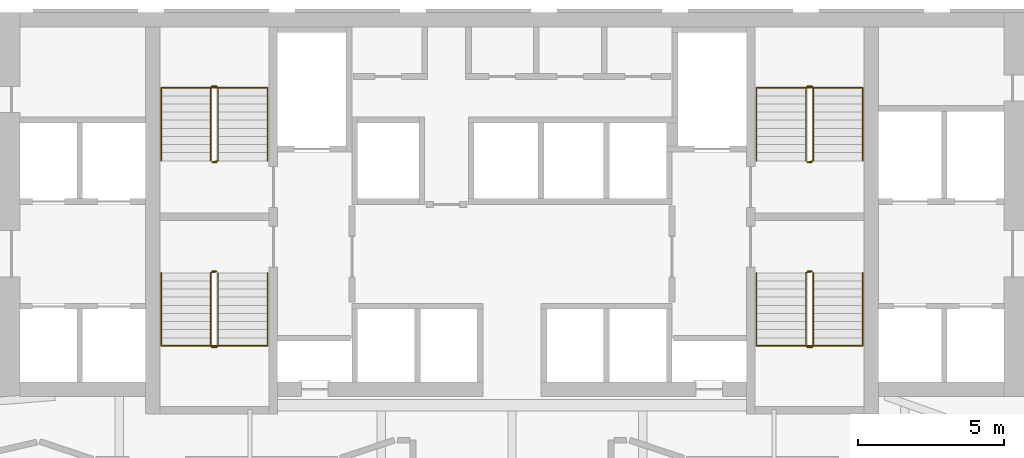
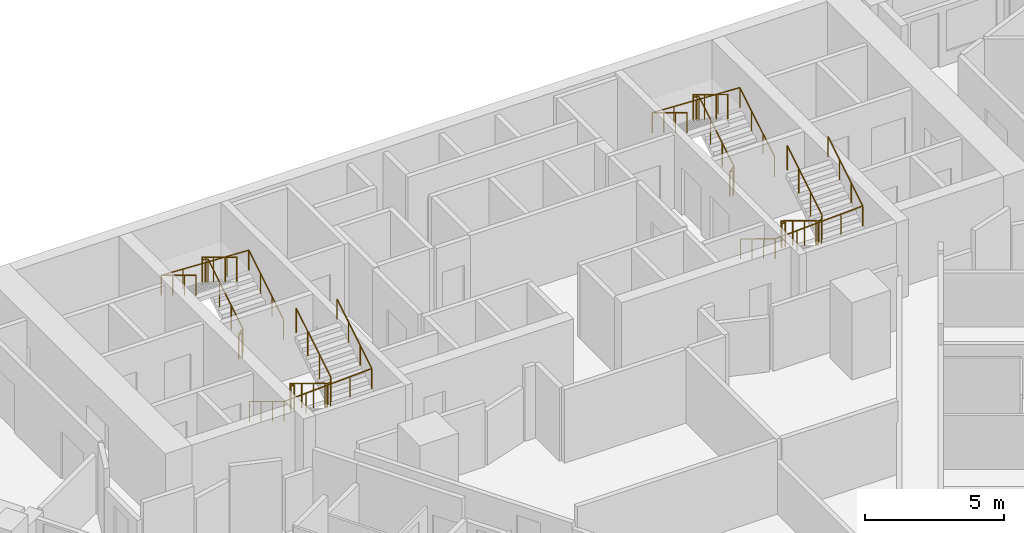
# One storey, part 11 of 11: 8 railings.
"""IFC4 building model written with IfcOpenShell, lengths in metres."""

from ifc_helpers import new_model, si_unit, direction, frame, origin, origin_2d, place, context, subcontext, project, spatial, circle, extrude, material, type_object, element, save


model = new_model("IFC4")

# Units and contexts
model_context = context("Model", 3, precision=1e-05, world=origin(), true_north=direction((0.0, 1.0)))
body_context = subcontext(model_context, "Body", "Model", "MODEL_VIEW")
ifc_project = project(units=[si_unit("LENGTHUNIT", "METRE"), si_unit("AREAUNIT", "SQUARE_METRE"), si_unit("VOLUMEUNIT", "CUBIC_METRE"), si_unit("PLANEANGLEUNIT", "RADIAN"), si_unit("MASSUNIT", "GRAM", prefix="KILO")], contexts=[model_context])

# Site, building, storey
site_placement = place(None, origin())
site = spatial("IfcSite", under=ifc_project, at=site_placement, CompositionType="ELEMENT")
building_placement = place(site_placement, origin())
building = spatial("IfcBuilding", under=site, at=building_placement, Name="Calabash Gate Tower", CompositionType="ELEMENT")
storey_placement = place(building_placement, frame((0.0, 0.0, 49.39990234375)))
storey = spatial("IfcBuildingStorey", under=building, at=storey_placement, Name="L07", CompositionType="ELEMENT", Elevation=49.39990234375)

# Railings
ifc_material_1 = material(Name="Black powder-coated steel balusters", Category="steel")
railing_type_1 = type_object("IfcRailingType", Name="Stair guard RL1100", PredefinedType="GUARDRAIL", material=ifc_material_1)
railing_1_placement = place(storey_placement, frame((-10.14990234375, 13.902587890625, 0.0)))
element("IfcRailing", 1, at=railing_1_placement, inside=storey, type_object=railing_type_1, Name="L07 ST1 stair guard 1", PredefinedType="GUARDRAIL", context=body_context, shape_type="SweptSolid", body=[
    extrude(circle(Radius=0.02392578125, at=origin_2d()), frame((0.0, 0.0, 1.076171875), z_axis=(-1.0, 0.0, 0.0), x_axis=(0.0, -1.0, 0.0)), (0.0, 0.0, 1.0), 0.150146484375),
    extrude(circle(Radius=0.02392578125, at=origin_2d()), frame((-0.150146484375, 0.0, 1.076171875), z_axis=(0.748079357382, 0.187248190798, 0.636643848712), x_axis=(-0.242814311512, 0.970072785993, 0.0)), (0.0, 0.0, 1.0), 0.267333984375),
    extrude(circle(Radius=0.02392578125, at=origin_2d()), frame((0.0498046875, 0.050048828125, 1.24609375), z_axis=(0.0, 0.853956361026, 0.520344629514), x_axis=(-1.0, 0.0, 0.0)), (0.0, 0.0, 1.0), 2.9404296875),
    extrude(circle(Radius=0.02392578125, at=origin_2d()), frame((0.0498046875, 2.56103515625, 2.7763671875), z_axis=(-0.705375805398, 0.708833529934, 0.0), x_axis=(-0.708833529934, -0.705375805398, 0.0)), (0.0, 0.0, 1.0), 0.070556640625),
    extrude(circle(Radius=0.02392578125, at=origin_2d()), frame((0.0, 2.611083984375, 2.7763671875), z_axis=(-1.0, 0.0, 0.0), x_axis=(0.0, -1.0, 0.0)), (0.0, 0.0, 1.0), 0.150146484375),
    extrude(circle(Radius=0.02392578125, at=origin_2d()), frame((-0.150146484375, 2.611083984375, 2.7763671875), z_axis=(-0.271895245746, -0.271895245746, 0.923117517265), x_axis=(0.707106781187, -0.707106781187, 0.0)), (0.0, 0.0, 1.0), 0.18408203125),
    extrude(circle(Radius=0.02392578125, at=origin_2d()), frame((-0.2001953125, 2.56103515625, 2.9462890625), z_axis=(0.0, -0.853956361026, 0.520344629514), x_axis=(1.0, 0.0, 0.0)), (0.0, 0.0, 1.0), 2.9404296875),
    extrude(circle(Radius=0.02099609375, at=origin_2d()), origin(), (0.0, 0.0, 1.0), 1.052001953125),
    extrude(circle(Radius=0.02099609375, at=origin_2d()), frame((-0.150146484375, 0.0, 0.0)), (0.0, 0.0, 1.0), 1.052001953125),
    extrude(circle(Radius=0.02099609375, at=origin_2d()), frame((0.0498046875, 0.050048828125, 0.170166015625)), (0.0, 0.0, 1.0), 1.052001953125),
    extrude(circle(Radius=0.02099609375, at=origin_2d()), frame((0.0498046875, 0.886962890625, 0.68017578125)), (0.0, 0.0, 1.0), 1.052001953125),
    extrude(circle(Radius=0.02099609375, at=origin_2d()), frame((0.0498046875, 1.72412109375, 1.190185546875)), (0.0, 0.0, 1.0), 1.052001953125),
    extrude(circle(Radius=0.02099609375, at=origin_2d()), frame((0.0498046875, 2.56103515625, 1.7001953125)), (0.0, 0.0, 1.0), 1.052001953125),
    extrude(circle(Radius=0.02099609375, at=origin_2d()), frame((0.0, 2.611083984375, 1.7001953125)), (0.0, 0.0, 1.0), 1.052001953125),
    extrude(circle(Radius=0.02099609375, at=origin_2d()), frame((-0.150146484375, 2.611083984375, 1.7001953125)), (0.0, 0.0, 1.0), 1.052001953125),
    extrude(circle(Radius=0.02099609375, at=origin_2d()), frame((-0.2001953125, 2.56103515625, 1.8701171875)), (0.0, 0.0, 1.0), 1.052001953125),
    extrude(circle(Radius=0.02099609375, at=origin_2d()), frame((-0.2001953125, 1.72412109375, 2.380126953125)), (0.0, 0.0, 1.0), 1.052001953125),
    extrude(circle(Radius=0.02099609375, at=origin_2d()), frame((-0.2001953125, 0.886962890625, 2.89013671875)), (0.0, 0.0, 1.0), 1.052001953125),
    extrude(circle(Radius=0.02099609375, at=origin_2d()), frame((-0.2001953125, 0.050048828125, 3.400146484375)), (0.0, 0.0, 1.0), 1.052001953125),
])
railing_2_placement = place(storey_placement, frame((-10.300048828125, 10.152587890625, 0.0)))
element("IfcRailing", 2, at=railing_2_placement, inside=storey, type_object=railing_type_1, Name="L07 ST2 stair guard 1", PredefinedType="GUARDRAIL", context=body_context, shape_type="SweptSolid", body=[
    extrude(circle(Radius=0.02392578125, at=origin_2d()), frame((0.0, 0.0, 1.076171875), z_axis=(1.0, 0.0, 0.0), x_axis=(0.0, 1.0, 0.0)), (0.0, 0.0, 1.0), 0.150146484375),
    extrude(circle(Radius=0.02392578125, at=origin_2d()), frame((0.150146484375, 0.0, 1.076171875), z_axis=(-0.748481188565, -0.187120297141, 0.63620901028), x_axis=(0.242535625036, -0.970142500145, 0.0)), (0.0, 0.0, 1.0), 0.267578125),
    extrude(circle(Radius=0.02392578125, at=origin_2d()), frame((-0.050048828125, -0.050048828125, 1.24609375), z_axis=(0.0, -0.853956361026, 0.520344629514), x_axis=(1.0, 0.0, 0.0)), (0.0, 0.0, 1.0), 2.9404296875),
    extrude(circle(Radius=0.02392578125, at=origin_2d()), frame((-0.050048828125, -2.56103515625, 2.7763671875), z_axis=(0.707106781187, -0.707106781187, 0.0), x_axis=(0.707106781187, 0.707106781187, 0.0)), (0.0, 0.0, 1.0), 0.07080078125),
    extrude(circle(Radius=0.02392578125, at=origin_2d()), frame((0.0, -2.611083984375, 2.7763671875), z_axis=(1.0, 0.0, 0.0), x_axis=(0.0, 1.0, 0.0)), (0.0, 0.0, 1.0), 0.150146484375),
    extrude(circle(Radius=0.02392578125, at=origin_2d()), frame((0.150146484375, -2.611083984375, 2.7763671875), z_axis=(0.270666314514, 0.271993110173, 0.92344977893), x_axis=(-0.708833529934, 0.705375805398, 0.0)), (0.0, 0.0, 1.0), 0.18408203125),
    extrude(circle(Radius=0.02392578125, at=origin_2d()), frame((0.199951171875, -2.56103515625, 2.9462890625), z_axis=(0.0, 0.853956361026, 0.520344629514), x_axis=(-1.0, 0.0, 0.0)), (0.0, 0.0, 1.0), 2.9404296875),
    extrude(circle(Radius=0.02099609375, at=origin_2d()), origin(), (0.0, 0.0, 1.0), 1.052001953125),
    extrude(circle(Radius=0.02099609375, at=origin_2d()), frame((0.150146484375, 0.0, 0.0)), (0.0, 0.0, 1.0), 1.052001953125),
    extrude(circle(Radius=0.02099609375, at=origin_2d()), frame((-0.050048828125, -0.050048828125, 0.170166015625)), (0.0, 0.0, 1.0), 1.052001953125),
    extrude(circle(Radius=0.02099609375, at=origin_2d()), frame((-0.050048828125, -0.886962890625, 0.68017578125)), (0.0, 0.0, 1.0), 1.052001953125),
    extrude(circle(Radius=0.02099609375, at=origin_2d()), frame((-0.050048828125, -1.72412109375, 1.190185546875)), (0.0, 0.0, 1.0), 1.052001953125),
    extrude(circle(Radius=0.02099609375, at=origin_2d()), frame((-0.050048828125, -2.56103515625, 1.7001953125)), (0.0, 0.0, 1.0), 1.052001953125),
    extrude(circle(Radius=0.02099609375, at=origin_2d()), frame((0.0, -2.611083984375, 1.7001953125)), (0.0, 0.0, 1.0), 1.052001953125),
    extrude(circle(Radius=0.02099609375, at=origin_2d()), frame((0.150146484375, -2.611083984375, 1.7001953125)), (0.0, 0.0, 1.0), 1.052001953125),
    extrude(circle(Radius=0.02099609375, at=origin_2d()), frame((0.199951171875, -2.56103515625, 1.8701171875)), (0.0, 0.0, 1.0), 1.052001953125),
    extrude(circle(Radius=0.02099609375, at=origin_2d()), frame((0.199951171875, -1.72412109375, 2.380126953125)), (0.0, 0.0, 1.0), 1.052001953125),
    extrude(circle(Radius=0.02099609375, at=origin_2d()), frame((0.199951171875, -0.886962890625, 2.89013671875)), (0.0, 0.0, 1.0), 1.052001953125),
    extrude(circle(Radius=0.02099609375, at=origin_2d()), frame((0.199951171875, -0.050048828125, 3.400146484375)), (0.0, 0.0, 1.0), 1.052001953125),
])
railing_3_placement = place(storey_placement, frame((10.300048828125, 13.902587890625, 0.0)))
element("IfcRailing", 3, at=railing_3_placement, inside=storey, type_object=railing_type_1, Name="L07 ST3 stair guard 1", PredefinedType="GUARDRAIL", context=body_context, shape_type="SweptSolid", body=[
    extrude(circle(Radius=0.02392578125, at=origin_2d()), frame((0.0, 0.0, 1.076171875), z_axis=(-1.0, 0.0, 0.0), x_axis=(0.0, -1.0, 0.0)), (0.0, 0.0, 1.0), 0.150146484375),
    extrude(circle(Radius=0.02392578125, at=origin_2d()), frame((-0.150146484375, 0.0, 1.076171875), z_axis=(0.748481188565, 0.187120297141, 0.63620901028), x_axis=(-0.242535625036, 0.970142500145, 0.0)), (0.0, 0.0, 1.0), 0.267578125),
    extrude(circle(Radius=0.02392578125, at=origin_2d()), frame((0.050048828125, 0.050048828125, 1.24609375), z_axis=(0.0, 0.853956361026, 0.520344629514), x_axis=(-1.0, 0.0, 0.0)), (0.0, 0.0, 1.0), 2.9404296875),
    extrude(circle(Radius=0.02392578125, at=origin_2d()), frame((0.050048828125, 2.56103515625, 2.7763671875), z_axis=(-0.707106781187, 0.707106781187, 0.0), x_axis=(-0.707106781187, -0.707106781187, 0.0)), (0.0, 0.0, 1.0), 0.07080078125),
    extrude(circle(Radius=0.02392578125, at=origin_2d()), frame((0.0, 2.611083984375, 2.7763671875), z_axis=(-1.0, 0.0, 0.0), x_axis=(0.0, -1.0, 0.0)), (0.0, 0.0, 1.0), 0.150146484375),
    extrude(circle(Radius=0.02392578125, at=origin_2d()), frame((-0.150146484375, 2.611083984375, 2.7763671875), z_axis=(-0.270666314514, -0.271993110173, 0.92344977893), x_axis=(0.708833529934, -0.705375805398, 0.0)), (0.0, 0.0, 1.0), 0.18408203125),
    extrude(circle(Radius=0.02392578125, at=origin_2d()), frame((-0.199951171875, 2.56103515625, 2.9462890625), z_axis=(0.0, -0.853956361026, 0.520344629514), x_axis=(1.0, 0.0, 0.0)), (0.0, 0.0, 1.0), 2.9404296875),
    extrude(circle(Radius=0.02099609375, at=origin_2d()), origin(), (0.0, 0.0, 1.0), 1.052001953125),
    extrude(circle(Radius=0.02099609375, at=origin_2d()), frame((-0.150146484375, 0.0, 0.0)), (0.0, 0.0, 1.0), 1.052001953125),
    extrude(circle(Radius=0.02099609375, at=origin_2d()), frame((0.050048828125, 0.050048828125, 0.170166015625)), (0.0, 0.0, 1.0), 1.052001953125),
    extrude(circle(Radius=0.02099609375, at=origin_2d()), frame((0.050048828125, 0.886962890625, 0.68017578125)), (0.0, 0.0, 1.0), 1.052001953125),
    extrude(circle(Radius=0.02099609375, at=origin_2d()), frame((0.050048828125, 1.72412109375, 1.190185546875)), (0.0, 0.0, 1.0), 1.052001953125),
    extrude(circle(Radius=0.02099609375, at=origin_2d()), frame((0.050048828125, 2.56103515625, 1.7001953125)), (0.0, 0.0, 1.0), 1.052001953125),
    extrude(circle(Radius=0.02099609375, at=origin_2d()), frame((0.0, 2.611083984375, 1.7001953125)), (0.0, 0.0, 1.0), 1.052001953125),
    extrude(circle(Radius=0.02099609375, at=origin_2d()), frame((-0.150146484375, 2.611083984375, 1.7001953125)), (0.0, 0.0, 1.0), 1.052001953125),
    extrude(circle(Radius=0.02099609375, at=origin_2d()), frame((-0.199951171875, 2.56103515625, 1.8701171875)), (0.0, 0.0, 1.0), 1.052001953125),
    extrude(circle(Radius=0.02099609375, at=origin_2d()), frame((-0.199951171875, 1.72412109375, 2.380126953125)), (0.0, 0.0, 1.0), 1.052001953125),
    extrude(circle(Radius=0.02099609375, at=origin_2d()), frame((-0.199951171875, 0.886962890625, 2.89013671875)), (0.0, 0.0, 1.0), 1.052001953125),
    extrude(circle(Radius=0.02099609375, at=origin_2d()), frame((-0.199951171875, 0.050048828125, 3.400146484375)), (0.0, 0.0, 1.0), 1.052001953125),
])
railing_4_placement = place(storey_placement, frame((10.14990234375, 10.152587890625, 0.0)))
element("IfcRailing", 4, at=railing_4_placement, inside=storey, type_object=railing_type_1, Name="L07 ST4 stair guard 1", PredefinedType="GUARDRAIL", context=body_context, shape_type="SweptSolid", body=[
    extrude(circle(Radius=0.02392578125, at=origin_2d()), frame((0.0, 0.0, 1.076171875), z_axis=(1.0, 0.0, 0.0), x_axis=(0.0, 1.0, 0.0)), (0.0, 0.0, 1.0), 0.150146484375),
    extrude(circle(Radius=0.02392578125, at=origin_2d()), frame((0.150146484375, 0.0, 1.076171875), z_axis=(-0.748079357382, -0.187248190798, 0.636643848712), x_axis=(0.242814311512, -0.970072785993, 0.0)), (0.0, 0.0, 1.0), 0.267333984375),
    extrude(circle(Radius=0.02392578125, at=origin_2d()), frame((-0.0498046875, -0.050048828125, 1.24609375), z_axis=(0.0, -0.853956361026, 0.520344629514), x_axis=(1.0, 0.0, 0.0)), (0.0, 0.0, 1.0), 2.9404296875),
    extrude(circle(Radius=0.02392578125, at=origin_2d()), frame((-0.0498046875, -2.56103515625, 2.7763671875), z_axis=(0.705375805398, -0.708833529934, 0.0), x_axis=(0.708833529934, 0.705375805398, 0.0)), (0.0, 0.0, 1.0), 0.070556640625),
    extrude(circle(Radius=0.02392578125, at=origin_2d()), frame((0.0, -2.611083984375, 2.7763671875), z_axis=(1.0, 0.0, 0.0), x_axis=(0.0, 1.0, 0.0)), (0.0, 0.0, 1.0), 0.150146484375),
    extrude(circle(Radius=0.02392578125, at=origin_2d()), frame((0.150146484375, -2.611083984375, 2.7763671875), z_axis=(0.271895245746, 0.271895245746, 0.923117517265), x_axis=(-0.707106781187, 0.707106781187, 0.0)), (0.0, 0.0, 1.0), 0.18408203125),
    extrude(circle(Radius=0.02392578125, at=origin_2d()), frame((0.2001953125, -2.56103515625, 2.9462890625), z_axis=(0.0, 0.853956361026, 0.520344629514), x_axis=(-1.0, 0.0, 0.0)), (0.0, 0.0, 1.0), 2.9404296875),
    extrude(circle(Radius=0.02099609375, at=origin_2d()), origin(), (0.0, 0.0, 1.0), 1.052001953125),
    extrude(circle(Radius=0.02099609375, at=origin_2d()), frame((0.150146484375, 0.0, 0.0)), (0.0, 0.0, 1.0), 1.052001953125),
    extrude(circle(Radius=0.02099609375, at=origin_2d()), frame((-0.0498046875, -0.050048828125, 0.170166015625)), (0.0, 0.0, 1.0), 1.052001953125),
    extrude(circle(Radius=0.02099609375, at=origin_2d()), frame((-0.0498046875, -0.886962890625, 0.68017578125)), (0.0, 0.0, 1.0), 1.052001953125),
    extrude(circle(Radius=0.02099609375, at=origin_2d()), frame((-0.0498046875, -1.72412109375, 1.190185546875)), (0.0, 0.0, 1.0), 1.052001953125),
    extrude(circle(Radius=0.02099609375, at=origin_2d()), frame((-0.0498046875, -2.56103515625, 1.7001953125)), (0.0, 0.0, 1.0), 1.052001953125),
    extrude(circle(Radius=0.02099609375, at=origin_2d()), frame((0.0, -2.611083984375, 1.7001953125)), (0.0, 0.0, 1.0), 1.052001953125),
    extrude(circle(Radius=0.02099609375, at=origin_2d()), frame((0.150146484375, -2.611083984375, 1.7001953125)), (0.0, 0.0, 1.0), 1.052001953125),
    extrude(circle(Radius=0.02099609375, at=origin_2d()), frame((0.2001953125, -2.56103515625, 1.8701171875)), (0.0, 0.0, 1.0), 1.052001953125),
    extrude(circle(Radius=0.02099609375, at=origin_2d()), frame((0.2001953125, -1.72412109375, 2.380126953125)), (0.0, 0.0, 1.0), 1.052001953125),
    extrude(circle(Radius=0.02099609375, at=origin_2d()), frame((0.2001953125, -0.886962890625, 2.89013671875)), (0.0, 0.0, 1.0), 1.052001953125),
    extrude(circle(Radius=0.02099609375, at=origin_2d()), frame((0.2001953125, -0.050048828125, 3.400146484375)), (0.0, 0.0, 1.0), 1.052001953125),
])
ifc_material_2 = material(Name="Black powder-coated steel tube 48 mm", Category="steel")
railing_type_2 = type_object("IfcRailingType", Name="Stair handrail RL900", PredefinedType="HANDRAIL", material=ifc_material_2)
railing_5_placement = place(storey_placement, frame((-8.39990234375, 13.95263671875, 0.170166015625)))
element("IfcRailing", 5, at=railing_5_placement, inside=storey, type_object=railing_type_2, Name="L07 ST1 stair handrail 1", PredefinedType="HANDRAIL", context=body_context, shape_type="SweptSolid", body=[
    extrude(circle(Radius=0.02392578125, at=origin_2d()), frame((0.0, 0.0, 0.8759765625), z_axis=(0.0, 0.853956361026, 0.520344629514), x_axis=(-1.0, 0.0, 0.0)), (0.0, 0.0, 1.0), 2.9404296875),
    extrude(circle(Radius=0.02392578125, at=origin_2d()), frame((0.0, 2.510986328125, 2.40576171875), z_axis=(-0.998918210324, 0.0, 0.046501710547), x_axis=(0.0, -1.0, 0.0)), (0.0, 0.0, 1.0), 3.654052734375),
    extrude(circle(Radius=0.02392578125, at=origin_2d()), frame((-3.650146484375, 2.510986328125, 2.57568359375), z_axis=(0.0, -0.853956361026, 0.520344629514), x_axis=(1.0, 0.0, 0.0)), (0.0, 0.0, 1.0), 2.9404296875),
    extrude(circle(Radius=0.02099609375, at=origin_2d()), origin(), (0.0, 0.0, 1.0), 0.851806640625),
    extrude(circle(Radius=0.02099609375, at=origin_2d()), frame((0.0, 0.8369140625, 0.510009765625)), (0.0, 0.0, 1.0), 0.851806640625),
    extrude(circle(Radius=0.02099609375, at=origin_2d()), frame((0.0, 1.674072265625, 1.02001953125)), (0.0, 0.0, 1.0), 0.851806640625),
    extrude(circle(Radius=0.02099609375, at=origin_2d()), frame((0.0, 2.510986328125, 1.530029296875)), (0.0, 0.0, 1.0), 0.851806640625),
    extrude(circle(Radius=0.02099609375, at=origin_2d()), frame((-0.91259765625, 2.510986328125, 1.572509765625)), (0.0, 0.0, 1.0), 0.851806640625),
    extrude(circle(Radius=0.02099609375, at=origin_2d()), frame((-1.8251953125, 2.510986328125, 1.614990234375)), (0.0, 0.0, 1.0), 0.851806640625),
    extrude(circle(Radius=0.02099609375, at=origin_2d()), frame((-2.737548828125, 2.510986328125, 1.657470703125)), (0.0, 0.0, 1.0), 0.851806640625),
    extrude(circle(Radius=0.02099609375, at=origin_2d()), frame((-3.650146484375, 2.510986328125, 1.699951171875)), (0.0, 0.0, 1.0), 0.851806640625),
    extrude(circle(Radius=0.02099609375, at=origin_2d()), frame((-3.650146484375, 1.674072265625, 2.2099609375)), (0.0, 0.0, 1.0), 0.851806640625),
    extrude(circle(Radius=0.02099609375, at=origin_2d()), frame((-3.650146484375, 0.8369140625, 2.719970703125)), (0.0, 0.0, 1.0), 0.851806640625),
    extrude(circle(Radius=0.02099609375, at=origin_2d()), frame((-3.650146484375, 0.0, 3.22998046875)), (0.0, 0.0, 1.0), 0.851806640625),
])
railing_6_placement = place(storey_placement, frame((-12.050048828125, 10.1025390625, 0.170166015625)))
element("IfcRailing", 6, at=railing_6_placement, inside=storey, type_object=railing_type_2, Name="L07 ST2 stair handrail 1", PredefinedType="HANDRAIL", context=body_context, shape_type="SweptSolid", body=[
    extrude(circle(Radius=0.02392578125, at=origin_2d()), frame((0.0, 0.0, 0.8759765625), z_axis=(0.0, -0.853956361026, 0.520344629514), x_axis=(1.0, 0.0, 0.0)), (0.0, 0.0, 1.0), 2.9404296875),
    extrude(circle(Radius=0.02392578125, at=origin_2d()), frame((0.0, -2.510986328125, 2.40576171875), z_axis=(0.998918210324, 0.0, 0.046501710547), x_axis=(0.0, 1.0, 0.0)), (0.0, 0.0, 1.0), 3.654052734375),
    extrude(circle(Radius=0.02392578125, at=origin_2d()), frame((3.650146484375, -2.510986328125, 2.57568359375), z_axis=(0.0, 0.853956361026, 0.520344629514), x_axis=(-1.0, 0.0, 0.0)), (0.0, 0.0, 1.0), 2.9404296875),
    extrude(circle(Radius=0.02099609375, at=origin_2d()), origin(), (0.0, 0.0, 1.0), 0.851806640625),
    extrude(circle(Radius=0.02099609375, at=origin_2d()), frame((0.0, -0.8369140625, 0.510009765625)), (0.0, 0.0, 1.0), 0.851806640625),
    extrude(circle(Radius=0.02099609375, at=origin_2d()), frame((0.0, -1.674072265625, 1.02001953125)), (0.0, 0.0, 1.0), 0.851806640625),
    extrude(circle(Radius=0.02099609375, at=origin_2d()), frame((0.0, -2.510986328125, 1.530029296875)), (0.0, 0.0, 1.0), 0.851806640625),
    extrude(circle(Radius=0.02099609375, at=origin_2d()), frame((0.91259765625, -2.510986328125, 1.572509765625)), (0.0, 0.0, 1.0), 0.851806640625),
    extrude(circle(Radius=0.02099609375, at=origin_2d()), frame((1.8251953125, -2.510986328125, 1.614990234375)), (0.0, 0.0, 1.0), 0.851806640625),
    extrude(circle(Radius=0.02099609375, at=origin_2d()), frame((2.737548828125, -2.510986328125, 1.657470703125)), (0.0, 0.0, 1.0), 0.851806640625),
    extrude(circle(Radius=0.02099609375, at=origin_2d()), frame((3.650146484375, -2.510986328125, 1.699951171875)), (0.0, 0.0, 1.0), 0.851806640625),
    extrude(circle(Radius=0.02099609375, at=origin_2d()), frame((3.650146484375, -1.674072265625, 2.2099609375)), (0.0, 0.0, 1.0), 0.851806640625),
    extrude(circle(Radius=0.02099609375, at=origin_2d()), frame((3.650146484375, -0.8369140625, 2.719970703125)), (0.0, 0.0, 1.0), 0.851806640625),
    extrude(circle(Radius=0.02099609375, at=origin_2d()), frame((3.650146484375, 0.0, 3.22998046875)), (0.0, 0.0, 1.0), 0.851806640625),
])
railing_7_placement = place(storey_placement, frame((12.050048828125, 13.95263671875, 0.170166015625)))
element("IfcRailing", 7, at=railing_7_placement, inside=storey, type_object=railing_type_2, Name="L07 ST3 stair handrail 1", PredefinedType="HANDRAIL", context=body_context, shape_type="SweptSolid", body=[
    extrude(circle(Radius=0.02392578125, at=origin_2d()), frame((0.0, 0.0, 0.8759765625), z_axis=(0.0, 0.853956361026, 0.520344629514), x_axis=(-1.0, 0.0, 0.0)), (0.0, 0.0, 1.0), 2.9404296875),
    extrude(circle(Radius=0.02392578125, at=origin_2d()), frame((0.0, 2.510986328125, 2.40576171875), z_axis=(-0.998918210324, 0.0, 0.046501710547), x_axis=(0.0, -1.0, 0.0)), (0.0, 0.0, 1.0), 3.654052734375),
    extrude(circle(Radius=0.02392578125, at=origin_2d()), frame((-3.650146484375, 2.510986328125, 2.57568359375), z_axis=(0.0, -0.853956361026, 0.520344629514), x_axis=(1.0, 0.0, 0.0)), (0.0, 0.0, 1.0), 2.9404296875),
    extrude(circle(Radius=0.02099609375, at=origin_2d()), origin(), (0.0, 0.0, 1.0), 0.851806640625),
    extrude(circle(Radius=0.02099609375, at=origin_2d()), frame((0.0, 0.8369140625, 0.510009765625)), (0.0, 0.0, 1.0), 0.851806640625),
    extrude(circle(Radius=0.02099609375, at=origin_2d()), frame((0.0, 1.674072265625, 1.02001953125)), (0.0, 0.0, 1.0), 0.851806640625),
    extrude(circle(Radius=0.02099609375, at=origin_2d()), frame((0.0, 2.510986328125, 1.530029296875)), (0.0, 0.0, 1.0), 0.851806640625),
    extrude(circle(Radius=0.02099609375, at=origin_2d()), frame((-0.91259765625, 2.510986328125, 1.572509765625)), (0.0, 0.0, 1.0), 0.851806640625),
    extrude(circle(Radius=0.02099609375, at=origin_2d()), frame((-1.8251953125, 2.510986328125, 1.614990234375)), (0.0, 0.0, 1.0), 0.851806640625),
    extrude(circle(Radius=0.02099609375, at=origin_2d()), frame((-2.737548828125, 2.510986328125, 1.657470703125)), (0.0, 0.0, 1.0), 0.851806640625),
    extrude(circle(Radius=0.02099609375, at=origin_2d()), frame((-3.650146484375, 2.510986328125, 1.699951171875)), (0.0, 0.0, 1.0), 0.851806640625),
    extrude(circle(Radius=0.02099609375, at=origin_2d()), frame((-3.650146484375, 1.674072265625, 2.2099609375)), (0.0, 0.0, 1.0), 0.851806640625),
    extrude(circle(Radius=0.02099609375, at=origin_2d()), frame((-3.650146484375, 0.8369140625, 2.719970703125)), (0.0, 0.0, 1.0), 0.851806640625),
    extrude(circle(Radius=0.02099609375, at=origin_2d()), frame((-3.650146484375, 0.0, 3.22998046875)), (0.0, 0.0, 1.0), 0.851806640625),
])
railing_8_placement = place(storey_placement, frame((8.39990234375, 10.1025390625, 0.170166015625)))
element("IfcRailing", 8, at=railing_8_placement, inside=storey, type_object=railing_type_2, Name="L07 ST4 stair handrail 1", PredefinedType="HANDRAIL", context=body_context, shape_type="SweptSolid", body=[
    extrude(circle(Radius=0.02392578125, at=origin_2d()), frame((0.0, 0.0, 0.8759765625), z_axis=(0.0, -0.853956361026, 0.520344629514), x_axis=(1.0, 0.0, 0.0)), (0.0, 0.0, 1.0), 2.9404296875),
    extrude(circle(Radius=0.02392578125, at=origin_2d()), frame((0.0, -2.510986328125, 2.40576171875), z_axis=(0.998918210324, 0.0, 0.046501710547), x_axis=(0.0, 1.0, 0.0)), (0.0, 0.0, 1.0), 3.654052734375),
    extrude(circle(Radius=0.02392578125, at=origin_2d()), frame((3.650146484375, -2.510986328125, 2.57568359375), z_axis=(0.0, 0.853956361026, 0.520344629514), x_axis=(-1.0, 0.0, 0.0)), (0.0, 0.0, 1.0), 2.9404296875),
    extrude(circle(Radius=0.02099609375, at=origin_2d()), origin(), (0.0, 0.0, 1.0), 0.851806640625),
    extrude(circle(Radius=0.02099609375, at=origin_2d()), frame((0.0, -0.8369140625, 0.510009765625)), (0.0, 0.0, 1.0), 0.851806640625),
    extrude(circle(Radius=0.02099609375, at=origin_2d()), frame((0.0, -1.674072265625, 1.02001953125)), (0.0, 0.0, 1.0), 0.851806640625),
    extrude(circle(Radius=0.02099609375, at=origin_2d()), frame((0.0, -2.510986328125, 1.530029296875)), (0.0, 0.0, 1.0), 0.851806640625),
    extrude(circle(Radius=0.02099609375, at=origin_2d()), frame((0.91259765625, -2.510986328125, 1.572509765625)), (0.0, 0.0, 1.0), 0.851806640625),
    extrude(circle(Radius=0.02099609375, at=origin_2d()), frame((1.8251953125, -2.510986328125, 1.614990234375)), (0.0, 0.0, 1.0), 0.851806640625),
    extrude(circle(Radius=0.02099609375, at=origin_2d()), frame((2.737548828125, -2.510986328125, 1.657470703125)), (0.0, 0.0, 1.0), 0.851806640625),
    extrude(circle(Radius=0.02099609375, at=origin_2d()), frame((3.650146484375, -2.510986328125, 1.699951171875)), (0.0, 0.0, 1.0), 0.851806640625),
    extrude(circle(Radius=0.02099609375, at=origin_2d()), frame((3.650146484375, -1.674072265625, 2.2099609375)), (0.0, 0.0, 1.0), 0.851806640625),
    extrude(circle(Radius=0.02099609375, at=origin_2d()), frame((3.650146484375, -0.8369140625, 2.719970703125)), (0.0, 0.0, 1.0), 0.851806640625),
    extrude(circle(Radius=0.02099609375, at=origin_2d()), frame((3.650146484375, 0.0, 3.22998046875)), (0.0, 0.0, 1.0), 0.851806640625),
])

save(model, "model.ifc")
